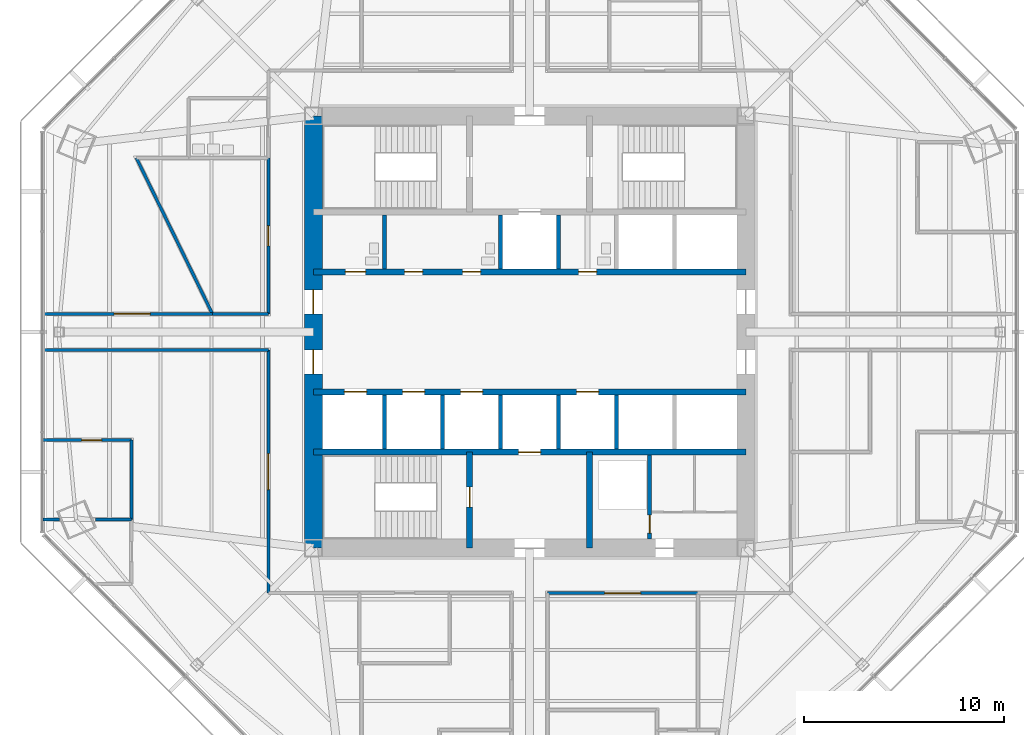
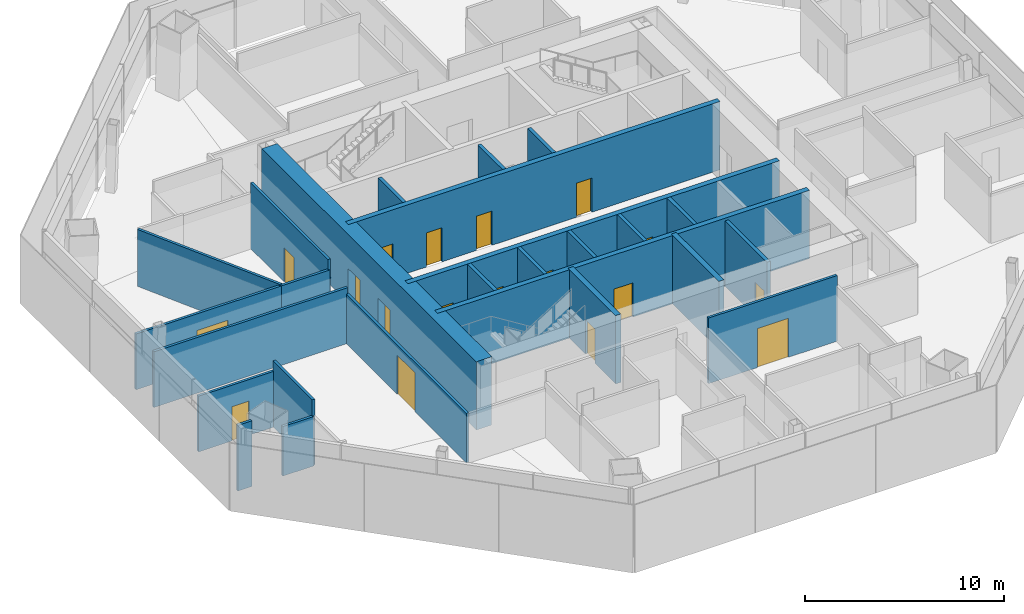
# One storey, part 9 of 14: 26 walls, 18 doors, 18 openings.
"""IFC4 building model written with IfcOpenShell, lengths in metres."""

from ifc_helpers import new_model, si_unit, direction, frame, frame_2d, origin, place, context, subcontext, project, spatial, rectangle, extrude, material, layer, layer_set, type_object, element, fill, save


model = new_model("IFC4")

# Units and contexts
model_context = context("Model", 3, precision=1e-05, world=origin(), true_north=direction((0.0, 1.0)))
body_context = subcontext(model_context, "Body", "Model", "MODEL_VIEW")
ifc_project = project(units=[si_unit("LENGTHUNIT", "METRE"), si_unit("AREAUNIT", "SQUARE_METRE"), si_unit("VOLUMEUNIT", "CUBIC_METRE"), si_unit("PLANEANGLEUNIT", "RADIAN"), si_unit("MASSUNIT", "GRAM", prefix="KILO")], contexts=[model_context])

# Site, building, storey
site_placement = place(None, origin())
site = spatial("IfcSite", under=ifc_project, at=site_placement, CompositionType="ELEMENT")
building_placement = place(site_placement, origin())
building = spatial("IfcBuilding", under=site, at=building_placement, Name="Mashrafa Tower", CompositionType="ELEMENT")
storey_placement = place(building_placement, frame((0.0, 0.0, 130.199951171875)))
storey = spatial("IfcBuildingStorey", under=building, at=storey_placement, Name="L29", CompositionType="ELEMENT", Elevation=130.199951171875)

# Wall, opening, door
ifc_material_1 = material(Name="Concrete masonry unit", Category="masonry")
ifc_layer_1 = layer(ifc_material_1, 0.199951171875)
ifc_layer_set_1 = layer_set([ifc_layer_1], Name="Blockwork wall 200 2 hr")
wall_type_1 = type_object("IfcWallType", Name="Blockwork wall 200 2 hr", PredefinedType="PARTITIONING", material=ifc_layer_set_1)
wall_1_placement = place(storey_placement, frame((6.0, -10.35009765625, 0.0), z_axis=(0.0, 0.0, 1.0), x_axis=(0.0, 1.0, 0.0)))
wall_1 = element("IfcWall", 1, at=wall_1_placement, inside=storey, type_object=wall_type_1, Name="Riser enclosure wall L29", PredefinedType="PARTITIONING", context=body_context, shape_type="SweptSolid", body=[
    extrude(rectangle(XDim=4.2001953125, YDim=0.199951171875, at=frame_2d((2.10009765625, 0.0))), origin(), (0.0, 0.0, 1.0), 4.03515625),
])
opening_1_placement = place(wall_1_placement, frame((0.300048828125, 0.0, 0.0)))
opening_1 = element("IfcOpeningElement", 2, at=opening_1_placement, cuts=wall_1, Name="Opening 29.032", PredefinedType="OPENING", context=body_context, shape_type="SweptSolid", body=[
    extrude(rectangle(XDim=0.89990234375, YDim=2.10009765625, at=frame_2d((0.449951171875, 1.050048828125))), frame((0.0, 0.10986328125, 0.0), z_axis=(0.0, -1.0, 0.0), x_axis=(1.0, 0.0, 0.0)), (0.0, 0.0, 1.0), 0.219970703125),
])
ifc_material_2 = material(Name="Steel door", Category="steel")
door_type_1 = type_object("IfcDoorType", Name="Service door 900 x 2100 90 min", OperationType="USERDEFINED", PredefinedType="DOOR", material=ifc_material_2)
door_1_placement = place(opening_1_placement, origin())
door_1 = element("IfcDoor", 3, at=door_1_placement, inside=storey, type_object=door_type_1, Name="Riser door L29", OperationType="SINGLE_SWING_LEFT", OverallHeight=2.10009765625, OverallWidth=0.89990234375, PredefinedType="DOOR", context=body_context, shape_type="SweptSolid", body=[
    extrude(rectangle(XDim=0.89990234375, YDim=2.10009765625, at=frame_2d((0.449951171875, 1.050048828125))), frame((0.0, 0.02490234375, 0.0), z_axis=(0.0, -1.0, 0.0), x_axis=(1.0, 0.0, 0.0)), (0.0, 0.0, 1.0), 0.050048828125),
])
fill(opening_1, door_1)

# Wall, openings, doors
ifc_material_3 = material(Name="Concrete C60/75", Category="concrete")
ifc_layer_2 = layer(ifc_material_3, 0.300048828125)
ifc_layer_set_2 = layer_set([ifc_layer_2], Name="Core wall 300 C60/75")
wall_type_2 = type_object("IfcWallType", Name="Core wall 300 C60/75", PredefinedType="SOLIDWALL", material=ifc_layer_set_2)
wall_2_placement = place(storey_placement, frame((-10.800048828125, 3.0, 0.0), z_axis=(0.0, 0.0, 1.0), x_axis=(1.0, 0.0, 0.0)))
wall_2 = element("IfcWall", 4, at=wall_2_placement, inside=storey, type_object=wall_type_2, Name="Core wall CH-N L29", PredefinedType="SOLIDWALL", context=body_context, shape_type="SweptSolid", body=[
    extrude(rectangle(XDim=21.60009765625, YDim=0.300048828125, at=frame_2d((10.800048828125, 0.0))), origin(), (0.0, 0.0, 1.0), 4.199951171875),
])
opening_2_placement = place(wall_2_placement, frame((1.60009765625, 0.0, 0.0)))
opening_2 = element("IfcOpeningElement", 5, at=opening_2_placement, cuts=wall_2, Name="Opening 29.035", PredefinedType="OPENING", context=body_context, shape_type="SweptSolid", body=[
    extrude(rectangle(XDim=1.0, YDim=2.10009765625, at=frame_2d((0.5, 1.050048828125))), frame((0.0, 0.159912109375, 0.0), z_axis=(0.0, -1.0, 0.0), x_axis=(1.0, 0.0, 0.0)), (0.0, 0.0, 1.0), 0.320068359375),
])
opening_3_placement = place(wall_2_placement, frame((4.550048828125, 0.0, 0.0)))
opening_3 = element("IfcOpeningElement", 6, at=opening_3_placement, cuts=wall_2, Name="Opening 29.036", PredefinedType="OPENING", context=body_context, shape_type="SweptSolid", body=[
    extrude(rectangle(XDim=0.89990234375, YDim=2.10009765625, at=frame_2d((0.449951171875, 1.050048828125))), frame((0.0, 0.159912109375, 0.0), z_axis=(0.0, -1.0, 0.0), x_axis=(1.0, 0.0, 0.0)), (0.0, 0.0, 1.0), 0.320068359375),
])
opening_4_placement = place(wall_2_placement, frame((7.449951171875, 0.0, 0.0)))
opening_4 = element("IfcOpeningElement", 7, at=opening_4_placement, cuts=wall_2, Name="Opening 29.037", PredefinedType="OPENING", context=body_context, shape_type="SweptSolid", body=[
    extrude(rectangle(XDim=0.89990234375, YDim=2.10009765625, at=frame_2d((0.449951171875, 1.050048828125))), frame((0.0, 0.159912109375, 0.0), z_axis=(0.0, -1.0, 0.0), x_axis=(1.0, 0.0, 0.0)), (0.0, 0.0, 1.0), 0.320068359375),
])
opening_5_placement = place(wall_2_placement, frame((13.25, 0.0, 0.0)))
opening_5 = element("IfcOpeningElement", 8, at=opening_5_placement, cuts=wall_2, Name="Opening 29.038", PredefinedType="OPENING", context=body_context, shape_type="SweptSolid", body=[
    extrude(rectangle(XDim=0.89990234375, YDim=2.10009765625, at=frame_2d((0.449951171875, 1.050048828125))), frame((0.0, 0.159912109375, 0.0), z_axis=(0.0, -1.0, 0.0), x_axis=(1.0, 0.0, 0.0)), (0.0, 0.0, 1.0), 0.320068359375),
])
ifc_material_4 = material(Name="Timber door", Category="wood")
door_type_2 = type_object("IfcDoorType", Name="Accessible toilet door 1000 x 2100", OperationType="USERDEFINED", PredefinedType="DOOR", material=ifc_material_4)
door_2_placement = place(opening_2_placement, origin())
door_2 = element("IfcDoor", 9, at=door_2_placement, inside=storey, type_object=door_type_2, Name="Accessible WC L29 door", OperationType="SINGLE_SWING_RIGHT", OverallHeight=2.10009765625, OverallWidth=1.0, PredefinedType="DOOR", context=body_context, shape_type="SweptSolid", body=[
    extrude(rectangle(XDim=1.0, YDim=2.10009765625, at=frame_2d((0.5, 1.050048828125))), frame((0.0, 0.02490234375, 0.0), z_axis=(0.0, -1.0, 0.0), x_axis=(1.0, 0.0, 0.0)), (0.0, 0.0, 1.0), 0.050048828125),
])
fill(opening_2, door_2)
ifc_material_5 = material(Name="Timber door", Category="wood")
door_type_3 = type_object("IfcDoorType", Name="Toilet door 900 x 2100", OperationType="USERDEFINED", PredefinedType="DOOR", material=ifc_material_5)
door_3_placement = place(opening_3_placement, origin())
door_3 = element("IfcDoor", 10, at=door_3_placement, inside=storey, type_object=door_type_3, Name="WC Male L29 door", OperationType="SINGLE_SWING_LEFT", OverallHeight=2.10009765625, OverallWidth=0.89990234375, PredefinedType="DOOR", context=body_context, shape_type="SweptSolid", body=[
    extrude(rectangle(XDim=0.89990234375, YDim=2.10009765625, at=frame_2d((0.449951171875, 1.050048828125))), frame((0.0, 0.02490234375, 0.0), z_axis=(0.0, -1.0, 0.0), x_axis=(1.0, 0.0, 0.0)), (0.0, 0.0, 1.0), 0.050048828125),
])
fill(opening_3, door_3)
door_4_placement = place(opening_4_placement, origin())
door_4 = element("IfcDoor", 11, at=door_4_placement, inside=storey, type_object=door_type_3, Name="WC Male L29 door", OperationType="SINGLE_SWING_RIGHT", OverallHeight=2.10009765625, OverallWidth=0.89990234375, PredefinedType="DOOR", context=body_context, shape_type="SweptSolid", body=[
    extrude(rectangle(XDim=0.89990234375, YDim=2.10009765625, at=frame_2d((0.449951171875, 1.050048828125))), frame((0.0, 0.02490234375, 0.0), z_axis=(0.0, -1.0, 0.0), x_axis=(1.0, 0.0, 0.0)), (0.0, 0.0, 1.0), 0.050048828125),
])
fill(opening_4, door_4)
door_5_placement = place(opening_5_placement, origin())
door_5 = element("IfcDoor", 12, at=door_5_placement, inside=storey, type_object=door_type_3, Name="WC Female L29 door", OperationType="SINGLE_SWING_LEFT", OverallHeight=2.10009765625, OverallWidth=0.89990234375, PredefinedType="DOOR", context=body_context, shape_type="SweptSolid", body=[
    extrude(rectangle(XDim=0.89990234375, YDim=2.10009765625, at=frame_2d((0.449951171875, 1.050048828125))), frame((0.0, 0.02490234375, 0.0), z_axis=(0.0, -1.0, 0.0), x_axis=(1.0, 0.0, 0.0)), (0.0, 0.0, 1.0), 0.050048828125),
])
fill(opening_5, door_5)

wall_3_placement = place(storey_placement, frame((-10.800048828125, -3.0, 0.0), z_axis=(0.0, 0.0, 1.0), x_axis=(1.0, 0.0, 0.0)))
wall_3 = element("IfcWall", 13, at=wall_3_placement, inside=storey, type_object=wall_type_2, Name="Core wall CH-S L29", PredefinedType="SOLIDWALL", context=body_context, shape_type="SweptSolid", body=[
    extrude(rectangle(XDim=21.60009765625, YDim=0.300048828125, at=frame_2d((10.800048828125, 0.0))), origin(), (0.0, 0.0, 1.0), 4.199951171875),
])
opening_6_placement = place(wall_3_placement, frame((1.550048828125, 0.0, 0.0)))
opening_6 = element("IfcOpeningElement", 14, at=opening_6_placement, cuts=wall_3, Name="Opening 29.B1", PredefinedType="OPENING", context=body_context, shape_type="SweptSolid", body=[
    extrude(rectangle(XDim=1.10009765625, YDim=2.10009765625, at=frame_2d((0.550048828125, 1.050048828125))), frame((0.0, 0.159912109375, 0.0), z_axis=(0.0, -1.0, 0.0), x_axis=(1.0, 0.0, 0.0)), (0.0, 0.0, 1.0), 0.320068359375),
])
opening_7_placement = place(wall_3_placement, frame((4.449951171875, 0.0, 0.0)))
opening_7 = element("IfcOpeningElement", 15, at=opening_7_placement, cuts=wall_3, Name="Opening 29.B2", PredefinedType="OPENING", context=body_context, shape_type="SweptSolid", body=[
    extrude(rectangle(XDim=1.10009765625, YDim=2.10009765625, at=frame_2d((0.550048828125, 1.050048828125))), frame((0.0, 0.159912109375, 0.0), z_axis=(0.0, -1.0, 0.0), x_axis=(1.0, 0.0, 0.0)), (0.0, 0.0, 1.0), 0.320068359375),
])
opening_8_placement = place(wall_3_placement, frame((7.35009765625, 0.0, 0.0)))
opening_8 = element("IfcOpeningElement", 16, at=opening_8_placement, cuts=wall_3, Name="Opening 29.B3", PredefinedType="OPENING", context=body_context, shape_type="SweptSolid", body=[
    extrude(rectangle(XDim=1.10009765625, YDim=2.10009765625, at=frame_2d((0.550048828125, 1.050048828125))), frame((0.0, 0.159912109375, 0.0), z_axis=(0.0, -1.0, 0.0), x_axis=(1.0, 0.0, 0.0)), (0.0, 0.0, 1.0), 0.320068359375),
])
opening_9_placement = place(wall_3_placement, frame((13.14990234375, 0.0, 0.0)))
opening_9 = element("IfcOpeningElement", 17, at=opening_9_placement, cuts=wall_3, Name="Opening 29.B4", PredefinedType="OPENING", context=body_context, shape_type="SweptSolid", body=[
    extrude(rectangle(XDim=1.10009765625, YDim=2.10009765625, at=frame_2d((0.550048828125, 1.050048828125))), frame((0.0, 0.159912109375, 0.0), z_axis=(0.0, -1.0, 0.0), x_axis=(1.0, 0.0, 0.0)), (0.0, 0.0, 1.0), 0.320068359375),
])
ifc_material_6 = material(Name="Steel door", Category="steel")
door_type_4 = type_object("IfcDoorType", Name="Lift landing door 1100 x 2100 90 min", OperationType="DOUBLE_DOOR_SLIDING", PredefinedType="DOOR", material=ifc_material_6)
door_6_placement = place(opening_6_placement, origin())
door_6 = element("IfcDoor", 18, at=door_6_placement, inside=storey, type_object=door_type_4, Name="Lift landing door B1 L29", OperationType="DOUBLE_DOOR_SLIDING", OverallHeight=2.10009765625, OverallWidth=1.10009765625, PredefinedType="DOOR", context=body_context, shape_type="SweptSolid", body=[
    extrude(rectangle(XDim=1.10009765625, YDim=2.10009765625, at=frame_2d((0.550048828125, 1.050048828125))), frame((0.0, 0.02490234375, 0.0), z_axis=(0.0, -1.0, 0.0), x_axis=(1.0, 0.0, 0.0)), (0.0, 0.0, 1.0), 0.050048828125),
])
fill(opening_6, door_6)
door_7_placement = place(opening_7_placement, origin())
door_7 = element("IfcDoor", 19, at=door_7_placement, inside=storey, type_object=door_type_4, Name="Lift landing door B2 L29", OperationType="DOUBLE_DOOR_SLIDING", OverallHeight=2.10009765625, OverallWidth=1.10009765625, PredefinedType="DOOR", context=body_context, shape_type="SweptSolid", body=[
    extrude(rectangle(XDim=1.10009765625, YDim=2.10009765625, at=frame_2d((0.550048828125, 1.050048828125))), frame((0.0, 0.02490234375, 0.0), z_axis=(0.0, -1.0, 0.0), x_axis=(1.0, 0.0, 0.0)), (0.0, 0.0, 1.0), 0.050048828125),
])
fill(opening_7, door_7)
door_8_placement = place(opening_8_placement, origin())
door_8 = element("IfcDoor", 20, at=door_8_placement, inside=storey, type_object=door_type_4, Name="Lift landing door B3 L29", OperationType="DOUBLE_DOOR_SLIDING", OverallHeight=2.10009765625, OverallWidth=1.10009765625, PredefinedType="DOOR", context=body_context, shape_type="SweptSolid", body=[
    extrude(rectangle(XDim=1.10009765625, YDim=2.10009765625, at=frame_2d((0.550048828125, 1.050048828125))), frame((0.0, 0.02490234375, 0.0), z_axis=(0.0, -1.0, 0.0), x_axis=(1.0, 0.0, 0.0)), (0.0, 0.0, 1.0), 0.050048828125),
])
fill(opening_8, door_8)
door_9_placement = place(opening_9_placement, origin())
door_9 = element("IfcDoor", 21, at=door_9_placement, inside=storey, type_object=door_type_4, Name="Lift landing door B4 L29", OperationType="DOUBLE_DOOR_SLIDING", OverallHeight=2.10009765625, OverallWidth=1.10009765625, PredefinedType="DOOR", context=body_context, shape_type="SweptSolid", body=[
    extrude(rectangle(XDim=1.10009765625, YDim=2.10009765625, at=frame_2d((0.550048828125, 1.050048828125))), frame((0.0, 0.02490234375, 0.0), z_axis=(0.0, -1.0, 0.0), x_axis=(1.0, 0.0, 0.0)), (0.0, 0.0, 1.0), 0.050048828125),
])
fill(opening_9, door_9)

# Wall, opening, door
wall_4_placement = place(storey_placement, frame((-10.800048828125, -6.0, 0.0), z_axis=(0.0, 0.0, 1.0), x_axis=(1.0, 0.0, 0.0)))
wall_4 = element("IfcWall", 22, at=wall_4_placement, inside=storey, type_object=wall_type_2, Name="Core wall CB-S L29", PredefinedType="SOLIDWALL", context=body_context, shape_type="SweptSolid", body=[
    extrude(rectangle(XDim=21.60009765625, YDim=0.300048828125, at=frame_2d((10.800048828125, 0.0))), origin(), (0.0, 0.0, 1.0), 4.199951171875),
])
opening_10_placement = place(wall_4_placement, frame((10.25, 0.0, 0.0)))
opening_10 = element("IfcOpeningElement", 23, at=opening_10_placement, cuts=wall_4, Name="Opening 29.F2", PredefinedType="OPENING", context=body_context, shape_type="SweptSolid", body=[
    extrude(rectangle(XDim=1.10009765625, YDim=2.10009765625, at=frame_2d((0.550048828125, 1.050048828125))), frame((0.0, 0.159912109375, 0.0), z_axis=(0.0, -1.0, 0.0), x_axis=(1.0, 0.0, 0.0)), (0.0, 0.0, 1.0), 0.320068359375),
])
door_10_placement = place(opening_10_placement, origin())
door_10 = element("IfcDoor", 24, at=door_10_placement, inside=storey, type_object=door_type_4, Name="Lift landing door F2 L29", OperationType="DOUBLE_DOOR_SLIDING", OverallHeight=2.10009765625, OverallWidth=1.10009765625, PredefinedType="DOOR", context=body_context, shape_type="SweptSolid", body=[
    extrude(rectangle(XDim=1.10009765625, YDim=2.10009765625, at=frame_2d((0.550048828125, 1.050048828125))), frame((0.0, 0.02490234375, 0.0), z_axis=(0.0, -1.0, 0.0), x_axis=(1.0, 0.0, 0.0)), (0.0, 0.0, 1.0), 0.050048828125),
])
fill(opening_10, door_10)

wall_5_placement = place(storey_placement, frame((-3.0, -6.0, 0.0), z_axis=(0.0, 0.0, 1.0), x_axis=(0.0, -1.0, 0.0)))
wall_5 = element("IfcWall", 25, at=wall_5_placement, inside=storey, type_object=wall_type_2, Name="Core wall CX-SW L29", PredefinedType="SOLIDWALL", context=body_context, shape_type="SweptSolid", body=[
    extrude(rectangle(XDim=4.800048828125, YDim=0.300048828125, at=frame_2d((2.39990234375, 0.0))), origin(), (0.0, 0.0, 1.0), 4.199951171875),
])
opening_11_placement = place(wall_5_placement, frame((1.75, 0.0, 0.0)))
opening_11 = element("IfcOpeningElement", 26, at=opening_11_placement, cuts=wall_5, Name="Opening 29.030", PredefinedType="OPENING", context=body_context, shape_type="SweptSolid", body=[
    extrude(rectangle(XDim=1.0, YDim=2.10009765625, at=frame_2d((0.5, 1.050048828125))), frame((0.0, 0.159912109375, 0.0), z_axis=(0.0, -1.0, 0.0), x_axis=(1.0, 0.0, 0.0)), (0.0, 0.0, 1.0), 0.320068359375),
])
ifc_material_7 = material(Name="Steel door", Category="steel")
door_type_5 = type_object("IfcDoorType", Name="Stair door 1000 x 2100 90 min", OperationType="USERDEFINED", PredefinedType="DOOR", material=ifc_material_7)
door_11_placement = place(opening_11_placement, frame((1.0, 0.0, 0.0), z_axis=(0.0, 0.0, 1.0), x_axis=(-1.0, 0.0, 0.0)))
door_11 = element("IfcDoor", 27, at=door_11_placement, inside=storey, type_object=door_type_5, Name="Stair S3 door L29", OperationType="SINGLE_SWING_RIGHT", OverallHeight=2.10009765625, OverallWidth=1.0, PredefinedType="DOOR", context=body_context, shape_type="SweptSolid", body=[
    extrude(rectangle(XDim=1.0, YDim=2.10009765625, at=frame_2d((0.5, 1.050048828125))), frame((0.0, 0.02490234375, 0.0), z_axis=(0.0, -1.0, 0.0), x_axis=(1.0, 0.0, 0.0)), (0.0, 0.0, 1.0), 0.050048828125),
])
fill(opening_11, door_11)

# Wall
wall_6_placement = place(storey_placement, frame((3.0, -6.0, 0.0), z_axis=(0.0, 0.0, 1.0), x_axis=(0.0, -1.0, 0.0)))
element("IfcWall", 28, at=wall_6_placement, inside=storey, type_object=wall_type_2, Name="Core wall CX-SE L29", PredefinedType="SOLIDWALL", context=body_context, shape_type="SweptSolid", body=[
    extrude(rectangle(XDim=4.800048828125, YDim=0.300048828125, at=frame_2d((2.39990234375, 0.0))), origin(), (0.0, 0.0, 1.0), 4.199951171875),
])

# Wall, openings, doors
ifc_material_8 = material(Name="Concrete C60/75", Category="concrete")
ifc_layer_3 = layer(ifc_material_8, 0.89990234375)
ifc_layer_set_3 = layer_set([ifc_layer_3], Name="Core wall 900 C60/75")
wall_type_3 = type_object("IfcWallType", Name="Core wall 900 C60/75", PredefinedType="SOLIDWALL", material=ifc_layer_set_3)
wall_7_placement = place(storey_placement, frame((-10.800048828125, 10.800048828125, 0.0), z_axis=(0.0, 0.0, 1.0), x_axis=(0.0, -1.0, 0.0)))
wall_7 = element("IfcWall", 29, at=wall_7_placement, inside=storey, type_object=wall_type_3, Name="Core wall CW-W L29", PredefinedType="SOLIDWALL", context=body_context, shape_type="SweptSolid", body=[
    extrude(rectangle(XDim=21.60009765625, YDim=0.89990234375, at=frame_2d((10.800048828125, 0.0))), origin(), (0.0, 0.0, 1.0), 4.199951171875),
])
opening_12_placement = place(wall_7_placement, frame((8.699951171875, 0.0, 0.0)))
opening_12 = element("IfcOpeningElement", 30, at=opening_12_placement, cuts=wall_7, Name="Opening 29.023", PredefinedType="OPENING", context=body_context, shape_type="SweptSolid", body=[
    extrude(rectangle(XDim=1.199951171875, YDim=2.10009765625, at=frame_2d((0.60009765625, 1.050048828125))), frame((0.0, 0.4599609375, 0.0), z_axis=(0.0, -1.0, 0.0), x_axis=(1.0, 0.0, 0.0)), (0.0, 0.0, 1.0), 0.919921875),
])
opening_13_placement = place(wall_7_placement, frame((11.699951171875, 0.0, 0.0)))
opening_13 = element("IfcOpeningElement", 31, at=opening_13_placement, cuts=wall_7, Name="Opening 29.025", PredefinedType="OPENING", context=body_context, shape_type="SweptSolid", body=[
    extrude(rectangle(XDim=1.199951171875, YDim=2.10009765625, at=frame_2d((0.60009765625, 1.050048828125))), frame((0.0, 0.4599609375, 0.0), z_axis=(0.0, -1.0, 0.0), x_axis=(1.0, 0.0, 0.0)), (0.0, 0.0, 1.0), 0.919921875),
])
ifc_material_9 = material(Name="Steel door", Category="steel")
door_type_6 = type_object("IfcDoorType", Name="Lift hall door 1200 x 2100 90 min", OperationType="USERDEFINED", PredefinedType="DOOR", material=ifc_material_9)
door_12_placement = place(opening_12_placement, frame((1.199951171875, 0.0, 0.0), z_axis=(0.0, 0.0, 1.0), x_axis=(-1.0, 0.0, 0.0)))
door_12 = element("IfcDoor", 32, at=door_12_placement, inside=storey, type_object=door_type_6, Name="Lift hall door west L29", OperationType="SINGLE_SWING_RIGHT", OverallHeight=2.10009765625, OverallWidth=1.199951171875, PredefinedType="DOOR", context=body_context, shape_type="SweptSolid", body=[
    extrude(rectangle(XDim=1.199951171875, YDim=2.10009765625, at=frame_2d((0.60009765625, 1.050048828125))), frame((0.0, 0.02490234375, 0.0), z_axis=(0.0, -1.0, 0.0), x_axis=(1.0, 0.0, 0.0)), (0.0, 0.0, 1.0), 0.050048828125),
])
fill(opening_12, door_12)
door_13_placement = place(opening_13_placement, frame((1.199951171875, 0.0, 0.0), z_axis=(0.0, 0.0, 1.0), x_axis=(-1.0, 0.0, 0.0)))
door_13 = element("IfcDoor", 33, at=door_13_placement, inside=storey, type_object=door_type_6, Name="Lift hall door west L29", OperationType="SINGLE_SWING_LEFT", OverallHeight=2.10009765625, OverallWidth=1.199951171875, PredefinedType="DOOR", context=body_context, shape_type="SweptSolid", body=[
    extrude(rectangle(XDim=1.199951171875, YDim=2.10009765625, at=frame_2d((0.60009765625, 1.050048828125))), frame((0.0, 0.02490234375, 0.0), z_axis=(0.0, -1.0, 0.0), x_axis=(1.0, 0.0, 0.0)), (0.0, 0.0, 1.0), 0.050048828125),
])
fill(opening_13, door_13)

# Wall, opening, door
ifc_material_10 = material(Name="Gypsum board on steel studs", Category="steel")
ifc_layer_4 = layer(ifc_material_10, 0.14990234375)
ifc_layer_set_4 = layer_set([ifc_layer_4], Name="Corridor partition 150 1 hr")
wall_type_4 = type_object("IfcWallType", Name="Corridor partition 150 1 hr", PredefinedType="PARTITIONING", material=ifc_layer_set_4)
wall_8_placement = place(storey_placement, frame((-13.050048828125, 8.700927734375, 0.0), z_axis=(0.0, 0.0, 1.0), x_axis=(0.0, -1.0, 0.0)))
wall_8 = element("IfcWall", 34, at=wall_8_placement, inside=storey, type_object=wall_type_4, Name="Corridor wall L29-001", PredefinedType="PARTITIONING", context=body_context, shape_type="SweptSolid", body=[
    extrude(rectangle(XDim=7.801025390625, YDim=0.14990234375, at=frame_2d((3.900390625, 0.0))), origin(), (0.0, 0.0, 1.0), 4.03515625),
])
opening_14_placement = place(wall_8_placement, frame((3.400390625, 0.0, 0.0)))
opening_14 = element("IfcOpeningElement", 35, at=opening_14_placement, cuts=wall_8, Name="Opening 29.001", PredefinedType="OPENING", context=body_context, shape_type="SweptSolid", body=[
    extrude(rectangle(XDim=1.0, YDim=2.10009765625, at=frame_2d((0.5, 1.050048828125))), frame((0.0, 0.0849609375, 0.0), z_axis=(0.0, -1.0, 0.0), x_axis=(1.0, 0.0, 0.0)), (0.0, 0.0, 1.0), 0.169921875),
])
ifc_material_11 = material(Name="Timber door", Category="wood")
door_type_7 = type_object("IfcDoorType", Name="Door 1000 x 2100", OperationType="USERDEFINED", PredefinedType="DOOR", material=ifc_material_11)
door_14_placement = place(opening_14_placement, frame((1.0, 0.0, 0.0), z_axis=(0.0, 0.0, 1.0), x_axis=(-1.0, 0.0, 0.0)))
door_14 = element("IfcDoor", 36, at=door_14_placement, inside=storey, type_object=door_type_7, Name="Musallah Prayer Room 29 door", OperationType="SINGLE_SWING_LEFT", OverallHeight=2.10009765625, OverallWidth=1.0, PredefinedType="DOOR", context=body_context, shape_type="SweptSolid", body=[
    extrude(rectangle(XDim=1.0, YDim=2.10009765625, at=frame_2d((0.5, 1.050048828125))), frame((0.0, 0.02490234375, 0.0), z_axis=(0.0, -1.0, 0.0), x_axis=(1.0, 0.0, 0.0)), (0.0, 0.0, 1.0), 0.050048828125),
])
fill(opening_14, door_14)

# Wall
wall_9_placement = place(storey_placement, frame((-13.050048828125, 0.89990234375, 0.0), z_axis=(0.0, 0.0, 1.0), x_axis=(-1.0, 0.0, 0.0)))
element("IfcWall", 37, at=wall_9_placement, inside=storey, type_object=wall_type_4, Name="Corridor wall L29-002", PredefinedType="PARTITIONING", context=body_context, shape_type="SweptSolid", body=[
    extrude(rectangle(XDim=2.796630859375, YDim=0.14990234375, at=frame_2d((1.3984375, 0.0))), origin(), (0.0, 0.0, 1.0), 3.425537109375),
])

# Wall, opening, door
wall_10_placement = place(storey_placement, frame((-15.844482421875, 0.89990234375, 0.0), z_axis=(0.0, 0.0, 1.0), x_axis=(-1.0, 0.0, 0.0)))
wall_10 = element("IfcWall", 38, at=wall_10_placement, inside=storey, type_object=wall_type_4, Name="Corridor wall L29-016", PredefinedType="PARTITIONING", context=body_context, shape_type="SweptSolid", body=[
    extrude(rectangle(XDim=8.470947265625, YDim=0.14990234375, at=frame_2d((4.2353515625, 0.0))), origin(), (0.0, 0.0, 1.0), 3.425537109375),
])
opening_15_placement = place(wall_10_placement, frame((3.118408203125, 0.0, 0.0)))
opening_15 = element("IfcOpeningElement", 39, at=opening_15_placement, cuts=wall_10, Name="Opening 29.016", PredefinedType="OPENING", context=body_context, shape_type="SweptSolid", body=[
    extrude(rectangle(XDim=1.800048828125, YDim=2.39990234375, at=frame_2d((0.89990234375, 1.199951171875))), frame((0.0, 0.0849609375, 0.0), z_axis=(0.0, -1.0, 0.0), x_axis=(1.0, 0.0, 0.0)), (0.0, 0.0, 1.0), 0.169921875),
])
ifc_material_12 = material(Name="Timber door", Category="wood")
door_type_8 = type_object("IfcDoorType", Name="Door pair 1800 x 2400", OperationType="DOUBLE_DOOR_SINGLE_SWING", PredefinedType="DOOR", material=ifc_material_12)
door_15_placement = place(opening_15_placement, frame((1.800048828125, 0.0, 0.0), z_axis=(0.0, 0.0, 1.0), x_axis=(-1.0, 0.0, 0.0)))
door_15 = element("IfcDoor", 40, at=door_15_placement, inside=storey, type_object=door_type_8, Name="Office Tenancy 29-N-NW1 door", OperationType="DOUBLE_DOOR_SINGLE_SWING", OverallHeight=2.39990234375, OverallWidth=1.800048828125, PredefinedType="DOOR", context=body_context, shape_type="SweptSolid", body=[
    extrude(rectangle(XDim=1.800048828125, YDim=2.39990234375, at=frame_2d((0.89990234375, 1.199951171875))), frame((0.0, 0.02490234375, 0.0), z_axis=(0.0, -1.0, 0.0), x_axis=(1.0, 0.0, 0.0)), (0.0, 0.0, 1.0), 0.050048828125),
])
fill(opening_15, door_15)

# Wall
wall_11_placement = place(storey_placement, frame((-24.3134765625, -0.89990234375, 0.0), z_axis=(0.0, 0.0, 1.0), x_axis=(1.0, 0.0, 0.0)))
element("IfcWall", 41, at=wall_11_placement, inside=storey, type_object=wall_type_4, Name="Corridor wall L29-021", PredefinedType="PARTITIONING", context=body_context, shape_type="SweptSolid", body=[
    extrude(rectangle(XDim=11.263427734375, YDim=0.14990234375, at=frame_2d((5.6318359375, 0.0))), origin(), (0.0, 0.0, 1.0), 3.425537109375),
])

# Wall, opening, door
wall_12_placement = place(storey_placement, frame((-13.050048828125, -0.89990234375, 0.0), z_axis=(0.0, 0.0, 1.0), x_axis=(0.0, -1.0, 0.0)))
wall_12 = element("IfcWall", 42, at=wall_12_placement, inside=storey, type_object=wall_type_4, Name="Corridor wall L29-022", PredefinedType="PARTITIONING", context=body_context, shape_type="SweptSolid", body=[
    extrude(rectangle(XDim=12.150146484375, YDim=0.14990234375, at=frame_2d((6.0751953125, 0.0))), origin(), (0.0, 0.0, 1.0), 3.0419921875),
])
opening_16_placement = place(wall_12_placement, frame((5.175048828125, 0.0, 0.0)))
opening_16 = element("IfcOpeningElement", 43, at=opening_16_placement, cuts=wall_12, Name="Opening 29.018", PredefinedType="OPENING", context=body_context, shape_type="SweptSolid", body=[
    extrude(rectangle(XDim=1.800048828125, YDim=2.39990234375, at=frame_2d((0.89990234375, 1.199951171875))), frame((0.0, 0.0849609375, 0.0), z_axis=(0.0, -1.0, 0.0), x_axis=(1.0, 0.0, 0.0)), (0.0, 0.0, 1.0), 0.169921875),
])
door_16_placement = place(opening_16_placement, frame((1.800048828125, 0.0, 0.0), z_axis=(0.0, 0.0, 1.0), x_axis=(-1.0, 0.0, 0.0)))
door_16 = element("IfcDoor", 44, at=door_16_placement, inside=storey, type_object=door_type_8, Name="Office Tenancy 29-S-SW1 door", OperationType="DOUBLE_DOOR_SINGLE_SWING", OverallHeight=2.39990234375, OverallWidth=1.800048828125, PredefinedType="DOOR", context=body_context, shape_type="SweptSolid", body=[
    extrude(rectangle(XDim=1.800048828125, YDim=2.39990234375, at=frame_2d((0.89990234375, 1.199951171875))), frame((0.0, 0.02490234375, 0.0), z_axis=(0.0, -1.0, 0.0), x_axis=(1.0, 0.0, 0.0)), (0.0, 0.0, 1.0), 0.050048828125),
])
fill(opening_16, door_16)

wall_13_placement = place(storey_placement, frame((0.89990234375, -13.050048828125, 0.0), z_axis=(0.0, 0.0, 1.0), x_axis=(1.0, 0.0, 0.0)))
wall_13 = element("IfcWall", 45, at=wall_13_placement, inside=storey, type_object=wall_type_4, Name="Corridor wall L29-030", PredefinedType="PARTITIONING", context=body_context, shape_type="SweptSolid", body=[
    extrude(rectangle(XDim=7.5009765625, YDim=0.14990234375, at=frame_2d((3.75048828125, 0.0))), origin(), (0.0, 0.0, 1.0), 4.03515625),
])
opening_17_placement = place(wall_13_placement, frame((2.8505859375, 0.0, 0.0)))
opening_17 = element("IfcOpeningElement", 46, at=opening_17_placement, cuts=wall_13, Name="Opening 29.021", PredefinedType="OPENING", context=body_context, shape_type="SweptSolid", body=[
    extrude(rectangle(XDim=1.800048828125, YDim=2.39990234375, at=frame_2d((0.89990234375, 1.199951171875))), frame((0.0, 0.0849609375, 0.0), z_axis=(0.0, -1.0, 0.0), x_axis=(1.0, 0.0, 0.0)), (0.0, 0.0, 1.0), 0.169921875),
])
door_17_placement = place(opening_17_placement, frame((1.800048828125, 0.0, 0.0), z_axis=(0.0, 0.0, 1.0), x_axis=(-1.0, 0.0, 0.0)))
door_17 = element("IfcDoor", 47, at=door_17_placement, inside=storey, type_object=door_type_8, Name="Office Tenancy 29-S-SE2 door", OperationType="DOUBLE_DOOR_SINGLE_SWING", OverallHeight=2.39990234375, OverallWidth=1.800048828125, PredefinedType="DOOR", context=body_context, shape_type="SweptSolid", body=[
    extrude(rectangle(XDim=1.800048828125, YDim=2.39990234375, at=frame_2d((0.89990234375, 1.199951171875))), frame((0.0, 0.02490234375, 0.0), z_axis=(0.0, -1.0, 0.0), x_axis=(1.0, 0.0, 0.0)), (0.0, 0.0, 1.0), 0.050048828125),
])
fill(opening_17, door_17)

# Walls
ifc_material_13 = material(Name="Gypsum board on steel studs", Category="steel")
ifc_layer_5 = layer(ifc_material_13, 0.14990234375)
ifc_layer_set_5 = layer_set([ifc_layer_5], Name="Partition 150")
wall_type_5 = type_object("IfcWallType", Name="Partition 150", PredefinedType="PARTITIONING", material=ifc_layer_set_5)
wall_14_placement = place(storey_placement, frame((-19.64990234375, 8.699951171875, 0.0), z_axis=(0.0, 0.0, 1.0), x_axis=(0.438358227548, -0.898800347319, 0.0)))
element("IfcWall", 48, at=wall_14_placement, inside=storey, type_object=wall_type_5, Name="Partition wall L29-033", PredefinedType="PARTITIONING", context=body_context, shape_type="SweptSolid", body=[
    extrude(rectangle(XDim=8.67822265625, YDim=0.14990234375, at=frame_2d((4.339111328125, 0.0))), origin(), (0.0, 0.0, 1.0), 3.499267578125),
])
wall_15_placement = place(storey_placement, frame((-24.3134765625, -9.35888671875, 0.0), z_axis=(0.0, 0.0, 1.0), x_axis=(1.0, 0.0, 0.0)))
element("IfcWall", 49, at=wall_15_placement, inside=storey, type_object=wall_type_5, Name="Partition wall L29-063", PredefinedType="PARTITIONING", context=body_context, shape_type="SweptSolid", body=[
    extrude(rectangle(XDim=0.8173828125, YDim=0.14990234375, at=frame_2d((0.40869140625, 0.0))), origin(), (0.0, 0.0, 1.0), 4.03515625),
])
wall_16_placement = place(storey_placement, frame((-21.69140625, -9.35888671875, 0.0), z_axis=(0.0, 0.0, 1.0), x_axis=(1.0, 0.0, 0.0)))
element("IfcWall", 50, at=wall_16_placement, inside=storey, type_object=wall_type_5, Name="Partition wall L29-064", PredefinedType="PARTITIONING", context=body_context, shape_type="SweptSolid", body=[
    extrude(rectangle(XDim=1.809814453125, YDim=0.14990234375, at=frame_2d((0.90478515625, 0.0))), origin(), (0.0, 0.0, 1.0), 3.0419921875),
])
wall_17_placement = place(storey_placement, frame((-19.881591796875, -9.35888671875, 0.0), z_axis=(0.0, 0.0, 1.0), x_axis=(0.0, 1.0, 0.0)))
element("IfcWall", 51, at=wall_17_placement, inside=storey, type_object=wall_type_5, Name="Partition wall L29-065", PredefinedType="PARTITIONING", context=body_context, shape_type="SweptSolid", body=[
    extrude(rectangle(XDim=3.958984375, YDim=0.14990234375, at=frame_2d((1.9794921875, 0.0))), origin(), (0.0, 0.0, 1.0), 4.03515625),
])

# Wall, opening, door
wall_18_placement = place(storey_placement, frame((-19.881591796875, -5.39990234375, 0.0), z_axis=(0.0, 0.0, 1.0), x_axis=(-1.0, 0.0, 0.0)))
wall_18 = element("IfcWall", 52, at=wall_18_placement, inside=storey, type_object=wall_type_5, Name="Partition wall L29-066", PredefinedType="PARTITIONING", context=body_context, shape_type="SweptSolid", body=[
    extrude(rectangle(XDim=4.433837890625, YDim=0.14990234375, at=frame_2d((2.216796875, 0.0))), origin(), (0.0, 0.0, 1.0), 3.425537109375),
])
opening_18_placement = place(wall_18_placement, frame((1.5, 0.0, 0.0)))
opening_18 = element("IfcOpeningElement", 53, at=opening_18_placement, cuts=wall_18, Name="Opening 29.012", PredefinedType="OPENING", context=body_context, shape_type="SweptSolid", body=[
    extrude(rectangle(XDim=1.0, YDim=2.10009765625, at=frame_2d((0.5, 1.050048828125))), frame((0.0, 0.0849609375, 0.0), z_axis=(0.0, -1.0, 0.0), x_axis=(1.0, 0.0, 0.0)), (0.0, 0.0, 1.0), 0.169921875),
])
door_18_placement = place(opening_18_placement, origin())
door_18 = element("IfcDoor", 54, at=door_18_placement, inside=storey, type_object=door_type_7, Name="Office 29-S-SW1-1 door", OperationType="SINGLE_SWING_LEFT", OverallHeight=2.10009765625, OverallWidth=1.0, PredefinedType="DOOR", context=body_context, shape_type="SweptSolid", body=[
    extrude(rectangle(XDim=1.0, YDim=2.10009765625, at=frame_2d((0.5, 1.050048828125))), frame((0.0, 0.02490234375, 0.0), z_axis=(0.0, -1.0, 0.0), x_axis=(1.0, 0.0, 0.0)), (0.0, 0.0, 1.0), 0.050048828125),
])
fill(opening_18, door_18)

# Walls
ifc_material_14 = material(Name="Gypsum shaft wall on steel studs", Category="steel")
ifc_layer_6 = layer(ifc_material_14, 0.199951171875)
ifc_layer_set_6 = layer_set([ifc_layer_6], Name="Shaft divider wall 200 2 hr")
wall_type_6 = type_object("IfcWallType", Name="Shaft divider wall 200 2 hr", PredefinedType="PARTITIONING", material=ifc_layer_set_6)
for number, where, z_axis, x_axis, name in (
    (55, (-7.25, 3.14990234375, 0.0), (0.0, 0.0, 1.0), (0.0, 1.0, 0.0), "Shaft divider wall N1 L29"),
    (56, (-1.449951171875, 3.14990234375, 0.0), (0.0, 0.0, 1.0), (0.0, 1.0, 0.0), "Shaft divider wall N3 L29"),
    (57, (1.449951171875, 3.14990234375, 0.0), (0.0, 0.0, 1.0), (0.0, 1.0, 0.0), "Shaft divider wall N4 L29"),
):
    element("IfcWall", number, at=place(storey_placement, frame(where, z_axis=z_axis, x_axis=x_axis)), inside=storey, type_object=wall_type_6, Name=name, PredefinedType="PARTITIONING", context=body_context, shape_type="SweptSolid", body=[
        extrude(rectangle(XDim=2.7001953125, YDim=0.199951171875, at=frame_2d((1.35009765625, 0.0))), origin(), (0.0, 0.0, 1.0), 4.03515625),
    ])
for number, where, z_axis, x_axis, name in (
    (58, (-7.25, -5.85009765625, 0.0), (0.0, 0.0, 1.0), (0.0, 1.0, 0.0), "Shaft divider wall S1 L29"),
    (59, (-4.35009765625, -5.85009765625, 0.0), (0.0, 0.0, 1.0), (0.0, 1.0, 0.0), "Shaft divider wall S2 L29"),
    (60, (-1.449951171875, -5.85009765625, 0.0), (0.0, 0.0, 1.0), (0.0, 1.0, 0.0), "Shaft divider wall S3 L29"),
    (61, (1.449951171875, -5.85009765625, 0.0), (0.0, 0.0, 1.0), (0.0, 1.0, 0.0), "Shaft divider wall S4 L29"),
    (62, (4.35009765625, -5.85009765625, 0.0), (0.0, 0.0, 1.0), (0.0, 1.0, 0.0), "Shaft divider wall S5 L29"),
):
    element("IfcWall", number, at=place(storey_placement, frame(where, z_axis=z_axis, x_axis=x_axis)), inside=storey, type_object=wall_type_6, Name=name, PredefinedType="PARTITIONING", context=body_context, shape_type="SweptSolid", body=[
        extrude(rectangle(XDim=2.7001953125, YDim=0.199951171875, at=frame_2d((1.35009765625, 0.0))), origin(), (0.0, 0.0, 1.0), 4.199951171875),
    ])

save(model, "model.ifc")
